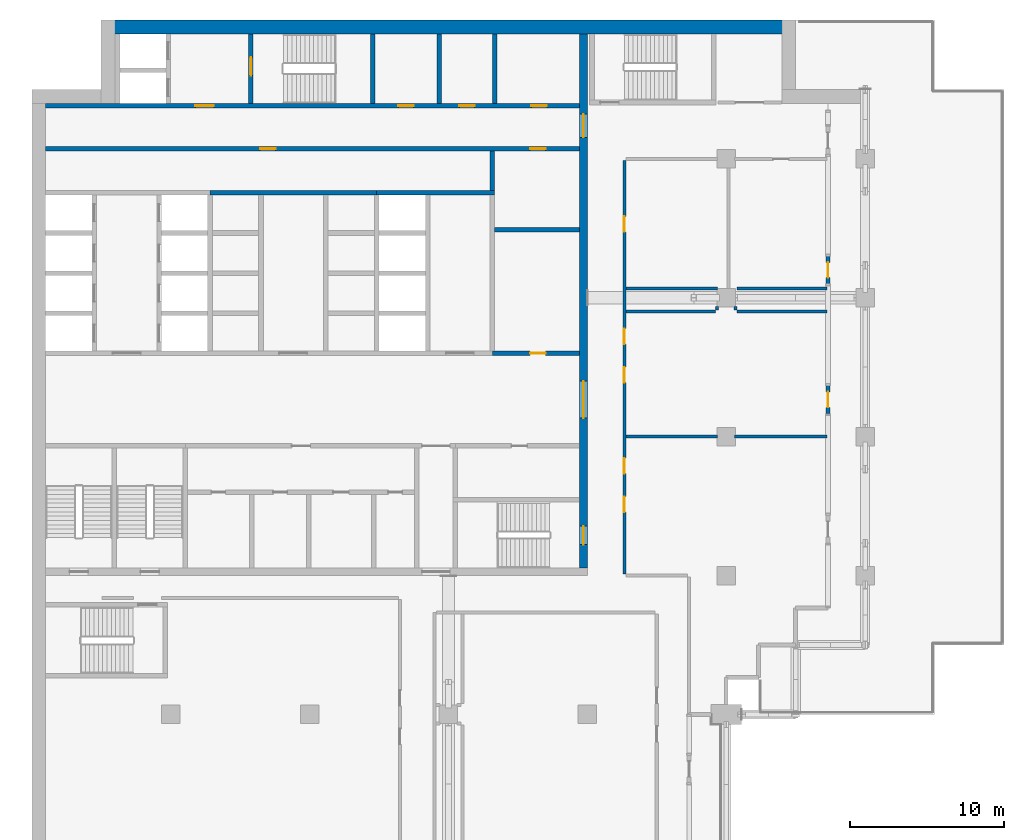
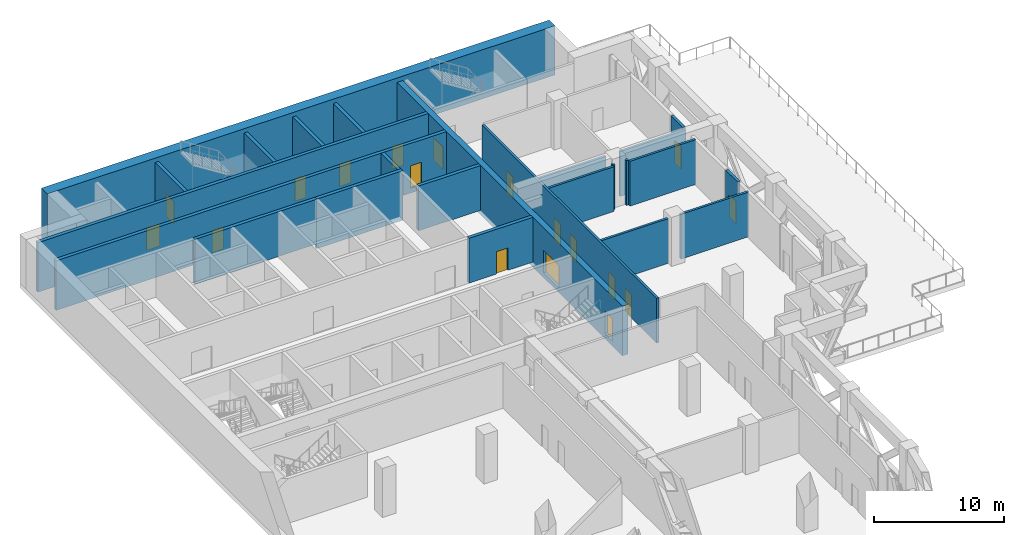
# One storey, part 10 of 20: 24 walls, 18 doors, 18 openings.
"""IFC4 building model written with IfcOpenShell, lengths in metres."""

from ifc_helpers import new_model, si_unit, direction, frame, frame_2d, origin, place, context, subcontext, project, spatial, rectangle, extrude, material, layer, layer_set, type_object, element, fill, save


model = new_model("IFC4")

# Units and contexts
model_context = context("Model", 3, precision=1e-05, world=origin(), true_north=direction((0.0, 1.0)))
body_context = subcontext(model_context, "Body", "Model", "MODEL_VIEW")
ifc_project = project(units=[si_unit("LENGTHUNIT", "METRE"), si_unit("AREAUNIT", "SQUARE_METRE"), si_unit("VOLUMEUNIT", "CUBIC_METRE"), si_unit("PLANEANGLEUNIT", "RADIAN"), si_unit("MASSUNIT", "GRAM", prefix="KILO")], contexts=[model_context])

# Site, building, storey
site_placement = place(None, origin())
site = spatial("IfcSite", under=ifc_project, at=site_placement, CompositionType="ELEMENT")
building_placement = place(site_placement, origin())
building = spatial("IfcBuilding", under=site, at=building_placement, Name="Hunhe Ridgeline Campus", CompositionType="ELEMENT")
storey_placement = place(building_placement, frame((0.0, 0.0, 178.199951171875)))
storey = spatial("IfcBuildingStorey", under=building, at=storey_placement, Name="L45", CompositionType="ELEMENT", Elevation=178.199951171875)

# Walls
ifc_material_1 = material(Name="Masonry concrete blockwork", Category="masonry")
ifc_layer_1 = layer(ifc_material_1, 0.300048828125)
ifc_layer_set_1 = layer_set([ifc_layer_1], Name="Core room partition 300 concrete block")
wall_type_1 = type_object("IfcWallType", Name="Core room partition 300 concrete block", PredefinedType="PARTITIONING", material=ifc_layer_set_1)
wall_1_placement = place(storey_placement, frame((30.0, 85.39990234375, 0.0), z_axis=(0.0, 0.0, 1.0), x_axis=(1.0, 0.0, 0.0)))
element("IfcWall", 1, at=wall_1_placement, inside=storey, type_object=wall_type_1, Name="L45 core partition 30", PredefinedType="PARTITIONING", context=body_context, shape_type="SweptSolid", body=[
    extrude(rectangle(XDim=5.5, YDim=0.300048828125, at=frame_2d((2.75, 0.0))), origin(), (0.0, 0.0, 1.0), 4.199951171875),
])
wall_2_placement = place(storey_placement, frame((26.39990234375, 93.60009765625, 0.0), z_axis=(0.0, 0.0, 1.0), x_axis=(0.0, 1.0, 0.0)))
element("IfcWall", 2, at=wall_2_placement, inside=storey, type_object=wall_type_1, Name="L45 core partition 59", PredefinedType="PARTITIONING", context=body_context, shape_type="SweptSolid", body=[
    extrude(rectangle(XDim=4.5, YDim=0.300048828125, at=frame_2d((2.25, 0.0))), origin(), (0.0, 0.0, 1.0), 4.199951171875),
])
wall_3_placement = place(storey_placement, frame((29.85009765625, 87.949951171875, 0.0), z_axis=(0.0, 0.0, 1.0), x_axis=(0.0, 1.0, 0.0)))
element("IfcWall", 3, at=wall_3_placement, inside=storey, type_object=wall_type_1, Name="L45 core partition 63", PredefinedType="PARTITIONING", context=body_context, shape_type="SweptSolid", body=[
    extrude(rectangle(XDim=2.550048828125, YDim=0.300048828125, at=frame_2d((1.27490234375, 0.0))), origin(), (0.0, 0.0, 1.0), 4.199951171875),
])
wall_4_placement = place(storey_placement, frame((30.0, 93.60009765625, 0.0), z_axis=(0.0, 0.0, 1.0), x_axis=(0.0, 1.0, 0.0)))
element("IfcWall", 4, at=wall_4_placement, inside=storey, type_object=wall_type_1, Name="L45 core partition 64", PredefinedType="PARTITIONING", context=body_context, shape_type="SweptSolid", body=[
    extrude(rectangle(XDim=4.5, YDim=0.300048828125, at=frame_2d((2.25, 0.0))), origin(), (0.0, 0.0, 1.0), 4.199951171875),
])

# Wall, openings, doors
ifc_material_2 = material(Name="Concrete C60", Category="concrete")
ifc_layer_2 = layer(ifc_material_2, 0.5)
ifc_layer_set_2 = layer_set([ifc_layer_2], Name="Core wall 500 reinforced concrete C60")
wall_type_2 = type_object("IfcWallType", Name="Core wall 500 reinforced concrete C60", PredefinedType="SOLIDWALL", material=ifc_layer_set_2)
wall_5_placement = place(storey_placement, frame((35.75, 63.5, -0.449951171875), z_axis=(0.0, 0.0, 1.0), x_axis=(0.0, 1.0, 0.0)))
wall_5 = element("IfcWall", 5, at=wall_5_placement, inside=storey, type_object=wall_type_2, Name="L45 core wall 65", PredefinedType="SOLIDWALL", context=body_context, shape_type="SweptSolid", body=[
    extrude(rectangle(XDim=34.60009765625, YDim=0.5, at=frame_2d((17.300048828125, 0.0))), origin(), (0.0, 0.0, 1.0), 4.64990234375),
])
opening_1_placement = place(wall_5_placement, frame((9.699951171875, 0.0, 0.449951171875)))
opening_1 = element("IfcOpeningElement", 6, at=opening_1_placement, cuts=wall_5, Name="Opening CD4", PredefinedType="OPENING", context=body_context, shape_type="SweptSolid", body=[
    extrude(rectangle(XDim=2.39990234375, YDim=2.10009765625, at=frame_2d((1.199951171875, 1.050048828125))), frame((0.0, 0.25, 0.0), z_axis=(0.0, -1.0, 0.0), x_axis=(1.0, 0.0, 0.0)), (0.0, 0.0, 1.0), 0.5),
])
opening_2_placement = place(wall_5_placement, frame((27.89990234375, 0.0, 0.449951171875)))
opening_2 = element("IfcOpeningElement", 7, at=opening_2_placement, cuts=wall_5, Name="Opening CD5", PredefinedType="OPENING", context=body_context, shape_type="SweptSolid", body=[
    extrude(rectangle(XDim=1.5, YDim=2.10009765625, at=frame_2d((0.75, 1.050048828125))), frame((0.0, 0.25, 0.0), z_axis=(0.0, -1.0, 0.0), x_axis=(1.0, 0.0, 0.0)), (0.0, 0.0, 1.0), 0.5),
])
opening_3_placement = place(wall_5_placement, frame((1.5, 0.0, 0.449951171875)))
opening_3 = element("IfcOpeningElement", 8, at=opening_3_placement, cuts=wall_5, Name="Opening CD15", PredefinedType="OPENING", context=body_context, shape_type="SweptSolid", body=[
    extrude(rectangle(XDim=1.199951171875, YDim=2.10009765625, at=frame_2d((0.60009765625, 1.050048828125))), frame((0.0, 0.25, 0.0), z_axis=(0.0, -1.0, 0.0), x_axis=(1.0, 0.0, 0.0)), (0.0, 0.0, 1.0), 0.5),
])
ifc_material_3 = material(Name="Anodised aluminium and glass", Category="aluminium")
door_type_1 = type_object("IfcDoorType", Name="Glazed double door 2400x2100", OperationType="DOUBLE_DOOR_SINGLE_SWING", PredefinedType="DOOR", material=ifc_material_3)
door_1_placement = place(opening_1_placement, frame((2.39990234375, 0.0, 0.0), z_axis=(0.0, 0.0, 1.0), x_axis=(-1.0, 0.0, 0.0)))
door_1 = element("IfcDoor", 9, at=door_1_placement, inside=storey, type_object=door_type_1, Name="L45 door HALL-FLOOR", OperationType="DOUBLE_DOOR_SINGLE_SWING", OverallHeight=2.10009765625, OverallWidth=2.39990234375, PredefinedType="DOOR", context=body_context, shape_type="SweptSolid", body=[
    extrude(rectangle(XDim=2.39990234375, YDim=2.10009765625, at=frame_2d((1.199951171875, 1.050048828125))), frame((0.0, 0.02490234375, 0.0), z_axis=(0.0, -1.0, 0.0), x_axis=(1.0, 0.0, 0.0)), (0.0, 0.0, 1.0), 0.050048828125),
])
fill(opening_1, door_1)
ifc_material_4 = material(Name="Hollow metal fire door leaf")
door_type_2 = type_object("IfcDoorType", Name="Stair door 1200x2100 FD60", OperationType="SINGLE_SWING_LEFT", PredefinedType="DOOR", material=ifc_material_4)
door_2_placement = place(opening_3_placement, frame((1.199951171875, 0.0, 0.0), z_axis=(0.0, 0.0, 1.0), x_axis=(-1.0, 0.0, 0.0)))
door_2 = element("IfcDoor", 10, at=door_2_placement, inside=storey, type_object=door_type_2, Name="L45 door S2-FLOOR", OperationType="SINGLE_SWING_LEFT", OverallHeight=2.10009765625, OverallWidth=1.199951171875, PredefinedType="DOOR", context=body_context, shape_type="SweptSolid", body=[
    extrude(rectangle(XDim=1.199951171875, YDim=2.10009765625, at=frame_2d((0.60009765625, 1.050048828125))), frame((0.0, 0.02490234375, 0.0), z_axis=(0.0, -1.0, 0.0), x_axis=(1.0, 0.0, 0.0)), (0.0, 0.0, 1.0), 0.050048828125),
])
fill(opening_3, door_2)
ifc_material_5 = material(Name="Solid core timber door leaf", Category="wood")
door_type_3 = type_object("IfcDoorType", Name="Timber door 1500x2100", OperationType="SINGLE_SWING_LEFT", PredefinedType="DOOR", material=ifc_material_5)
door_3_placement = place(opening_2_placement, frame((1.5, 0.0, 0.0), z_axis=(0.0, 0.0, 1.0), x_axis=(-1.0, 0.0, 0.0)))
door_3 = element("IfcDoor", 11, at=door_3_placement, inside=storey, type_object=door_type_3, Name="L45 door C1-FLOOR", OperationType="SINGLE_SWING_LEFT", OverallHeight=2.10009765625, OverallWidth=1.5, PredefinedType="DOOR", context=body_context, shape_type="SweptSolid", body=[
    extrude(rectangle(XDim=1.5, YDim=2.10009765625, at=frame_2d((0.75, 1.050048828125))), frame((0.0, 0.02490234375, 0.0), z_axis=(0.0, -1.0, 0.0), x_axis=(1.0, 0.0, 0.0)), (0.0, 0.0, 1.0), 0.050048828125),
])
fill(opening_2, door_3)

# Walls
ifc_material_6 = material(Name="Gypsum board partition")
ifc_layer_3 = layer(ifc_material_6, 0.199951171875)
ifc_layer_set_3 = layer_set([ifc_layer_3], Name="Corridor partition 200 gypsum board on steel studs")
wall_type_3 = type_object("IfcWallType", Name="Corridor partition 200 gypsum board on steel studs", PredefinedType="PARTITIONING", material=ifc_layer_set_3)
wall_6_placement = place(storey_placement, frame((38.5, 72.0, 0.0), z_axis=(0.0, 0.0, 1.0), x_axis=(1.0, 0.0, 0.0)))
element("IfcWall", 12, at=wall_6_placement, inside=storey, type_object=wall_type_3, Name="F-L45-wall-023", PredefinedType="PARTITIONING", context=body_context, shape_type="SweptSolid", body=[
    extrude(rectangle(XDim=5.949951171875, YDim=0.199951171875, at=frame_2d((2.97509765625, 0.0))), origin(), (0.0, 0.0, 1.0), 4.199951171875),
])
wall_7_placement = place(storey_placement, frame((45.550048828125, 72.0, 0.0), z_axis=(0.0, 0.0, 1.0), x_axis=(1.0, 0.0, 0.0)))
element("IfcWall", 13, at=wall_7_placement, inside=storey, type_object=wall_type_3, Name="F-L45-wall-024", PredefinedType="PARTITIONING", context=body_context, shape_type="SweptSolid", body=[
    extrude(rectangle(XDim=5.994873046875, YDim=0.199951171875, at=frame_2d((2.99755859375, 0.0))), origin(), (0.0, 0.0, 1.0), 4.199951171875),
])
wall_8_placement = place(storey_placement, frame((38.5, 80.10009765625, 0.0), z_axis=(0.0, 0.0, 1.0), x_axis=(1.0, 0.0, 0.0)))
element("IfcWall", 14, at=wall_8_placement, inside=storey, type_object=wall_type_3, Name="F-L45-wall-025", PredefinedType="PARTITIONING", context=body_context, shape_type="SweptSolid", body=[
    extrude(rectangle(XDim=5.800048828125, YDim=0.199951171875, at=frame_2d((2.89990234375, 0.0))), origin(), (0.0, 0.0, 1.0), 4.199951171875),
])
wall_9_placement = place(storey_placement, frame((45.699951171875, 80.10009765625, 0.0), z_axis=(0.0, 0.0, 1.0), x_axis=(1.0, 0.0, 0.0)))
element("IfcWall", 15, at=wall_9_placement, inside=storey, type_object=wall_type_3, Name="F-L45-wall-026", PredefinedType="PARTITIONING", context=body_context, shape_type="SweptSolid", body=[
    extrude(rectangle(XDim=5.844970703125, YDim=0.199951171875, at=frame_2d((2.92236328125, 0.0))), origin(), (0.0, 0.0, 1.0), 4.199951171875),
])
wall_10_placement = place(storey_placement, frame((38.5, 81.60009765625, 0.0), z_axis=(0.0, 0.0, 1.0), x_axis=(1.0, 0.0, 0.0)))
element("IfcWall", 16, at=wall_10_placement, inside=storey, type_object=wall_type_3, Name="F-L45-wall-027", PredefinedType="PARTITIONING", context=body_context, shape_type="SweptSolid", body=[
    extrude(rectangle(XDim=5.949951171875, YDim=0.199951171875, at=frame_2d((2.97509765625, 0.0))), origin(), (0.0, 0.0, 1.0), 4.199951171875),
])
wall_11_placement = place(storey_placement, frame((45.702880859375, 81.60009765625, 0.0), z_axis=(0.0, 0.0, 1.0), x_axis=(1.0, 0.0, 0.0)))
element("IfcWall", 17, at=wall_11_placement, inside=storey, type_object=wall_type_3, Name="F-L45-wall-028", PredefinedType="PARTITIONING", context=body_context, shape_type="SweptSolid", body=[
    extrude(rectangle(XDim=5.842041015625, YDim=0.199951171875, at=frame_2d((2.9208984375, 0.0))), origin(), (0.0, 0.0, 1.0), 4.199951171875),
])

# Wall, openings, doors
wall_12_placement = place(storey_placement, frame((38.39990234375, 89.89990234375, 0.0), z_axis=(0.0, 0.0, 1.0), x_axis=(0.0, -1.0, 0.0)))
wall_12 = element("IfcWall", 18, at=wall_12_placement, inside=storey, type_object=wall_type_3, Name="F-L45-wall-044", PredefinedType="PARTITIONING", context=body_context, shape_type="SweptSolid", body=[
    extrude(rectangle(XDim=26.7998046875, YDim=0.199951171875, at=frame_2d((13.39990234375, 0.0))), origin(), (0.0, 0.0, 1.0), 4.199951171875),
])
opening_4_placement = place(wall_12_placement, frame((21.79150390625, 0.0, 0.0)))
opening_4 = element("IfcOpeningElement", 19, at=opening_4_placement, cuts=wall_12, Name="Opening RD1-009", PredefinedType="OPENING", context=body_context, shape_type="SweptSolid", body=[
    extrude(rectangle(XDim=1.0, YDim=2.10009765625, at=frame_2d((0.5, 1.050048828125))), frame((0.0, 0.10009765625, 0.0), z_axis=(0.0, -1.0, 0.0), x_axis=(1.0, 0.0, 0.0)), (0.0, 0.0, 1.0), 0.199951171875),
])
opening_5_placement = place(wall_12_placement, frame((19.29150390625, 0.0, 0.0)))
opening_5 = element("IfcOpeningElement", 20, at=opening_5_placement, cuts=wall_12, Name="Opening RD1-010", PredefinedType="OPENING", context=body_context, shape_type="SweptSolid", body=[
    extrude(rectangle(XDim=1.0, YDim=2.10009765625, at=frame_2d((0.5, 1.050048828125))), frame((0.0, 0.10009765625, 0.0), z_axis=(0.0, -1.0, 0.0), x_axis=(1.0, 0.0, 0.0)), (0.0, 0.0, 1.0), 0.199951171875),
])
opening_6_placement = place(wall_12_placement, frame((13.40087890625, 0.0, 0.0)))
opening_6 = element("IfcOpeningElement", 21, at=opening_6_placement, cuts=wall_12, Name="Opening RD1-011", PredefinedType="OPENING", context=body_context, shape_type="SweptSolid", body=[
    extrude(rectangle(XDim=1.0, YDim=2.10009765625, at=frame_2d((0.5, 1.050048828125))), frame((0.0, 0.10009765625, 0.0), z_axis=(0.0, -1.0, 0.0), x_axis=(1.0, 0.0, 0.0)), (0.0, 0.0, 1.0), 0.199951171875),
])
opening_7_placement = place(wall_12_placement, frame((10.90087890625, 0.0, 0.0)))
opening_7 = element("IfcOpeningElement", 22, at=opening_7_placement, cuts=wall_12, Name="Opening RD1-012", PredefinedType="OPENING", context=body_context, shape_type="SweptSolid", body=[
    extrude(rectangle(XDim=1.0, YDim=2.10009765625, at=frame_2d((0.5, 1.050048828125))), frame((0.0, 0.10009765625, 0.0), z_axis=(0.0, -1.0, 0.0), x_axis=(1.0, 0.0, 0.0)), (0.0, 0.0, 1.0), 0.199951171875),
])
opening_8_placement = place(wall_12_placement, frame((3.6328125, 0.0, 0.0)))
opening_8 = element("IfcOpeningElement", 23, at=opening_8_placement, cuts=wall_12, Name="Opening RD1-013", PredefinedType="OPENING", context=body_context, shape_type="SweptSolid", body=[
    extrude(rectangle(XDim=1.0, YDim=2.10009765625, at=frame_2d((0.5, 1.050048828125))), frame((0.0, 0.10009765625, 0.0), z_axis=(0.0, -1.0, 0.0), x_axis=(1.0, 0.0, 0.0)), (0.0, 0.0, 1.0), 0.199951171875),
])
ifc_material_7 = material(Name="Timber door leaf", Category="wood")
door_type_4 = type_object("IfcDoorType", Name="Single fire door 1000x2100 timber FD60", OperationType="NOTDEFINED", PredefinedType="DOOR", material=ifc_material_7)
door_4_placement = place(opening_4_placement, frame((1.0, 0.0, 0.0), z_axis=(0.0, 0.0, 1.0), x_axis=(-1.0, 0.0, 0.0)))
door_4 = element("IfcDoor", 24, at=door_4_placement, inside=storey, type_object=door_type_4, Name="F-L45-door-009", OperationType="SINGLE_SWING_LEFT", OverallHeight=2.10009765625, OverallWidth=1.0, PredefinedType="DOOR", context=body_context, shape_type="SweptSolid", body=[
    extrude(rectangle(XDim=1.0, YDim=2.10009765625, at=frame_2d((0.5, 1.050048828125))), frame((0.0, 0.02490234375, 0.0), z_axis=(0.0, -1.0, 0.0), x_axis=(1.0, 0.0, 0.0)), (0.0, 0.0, 1.0), 0.050048828125),
])
fill(opening_4, door_4)
door_5_placement = place(opening_5_placement, frame((1.0, 0.0, 0.0), z_axis=(0.0, 0.0, 1.0), x_axis=(-1.0, 0.0, 0.0)))
door_5 = element("IfcDoor", 25, at=door_5_placement, inside=storey, type_object=door_type_4, Name="F-L45-door-010", OperationType="SINGLE_SWING_RIGHT", OverallHeight=2.10009765625, OverallWidth=1.0, PredefinedType="DOOR", context=body_context, shape_type="SweptSolid", body=[
    extrude(rectangle(XDim=1.0, YDim=2.10009765625, at=frame_2d((0.5, 1.050048828125))), frame((0.0, 0.02490234375, 0.0), z_axis=(0.0, -1.0, 0.0), x_axis=(1.0, 0.0, 0.0)), (0.0, 0.0, 1.0), 0.050048828125),
])
fill(opening_5, door_5)
door_6_placement = place(opening_6_placement, frame((1.0, 0.0, 0.0), z_axis=(0.0, 0.0, 1.0), x_axis=(-1.0, 0.0, 0.0)))
door_6 = element("IfcDoor", 26, at=door_6_placement, inside=storey, type_object=door_type_4, Name="F-L45-door-011", OperationType="SINGLE_SWING_RIGHT", OverallHeight=2.10009765625, OverallWidth=1.0, PredefinedType="DOOR", context=body_context, shape_type="SweptSolid", body=[
    extrude(rectangle(XDim=1.0, YDim=2.10009765625, at=frame_2d((0.5, 1.050048828125))), frame((0.0, 0.02490234375, 0.0), z_axis=(0.0, -1.0, 0.0), x_axis=(1.0, 0.0, 0.0)), (0.0, 0.0, 1.0), 0.050048828125),
])
fill(opening_6, door_6)
door_7_placement = place(opening_7_placement, frame((1.0, 0.0, 0.0), z_axis=(0.0, 0.0, 1.0), x_axis=(-1.0, 0.0, 0.0)))
door_7 = element("IfcDoor", 27, at=door_7_placement, inside=storey, type_object=door_type_4, Name="F-L45-door-012", OperationType="SINGLE_SWING_RIGHT", OverallHeight=2.10009765625, OverallWidth=1.0, PredefinedType="DOOR", context=body_context, shape_type="SweptSolid", body=[
    extrude(rectangle(XDim=1.0, YDim=2.10009765625, at=frame_2d((0.5, 1.050048828125))), frame((0.0, 0.02490234375, 0.0), z_axis=(0.0, -1.0, 0.0), x_axis=(1.0, 0.0, 0.0)), (0.0, 0.0, 1.0), 0.050048828125),
])
fill(opening_7, door_7)
door_8_placement = place(opening_8_placement, frame((1.0, 0.0, 0.0), z_axis=(0.0, 0.0, 1.0), x_axis=(-1.0, 0.0, 0.0)))
door_8 = element("IfcDoor", 28, at=door_8_placement, inside=storey, type_object=door_type_4, Name="F-L45-door-013", OperationType="SINGLE_SWING_RIGHT", OverallHeight=2.10009765625, OverallWidth=1.0, PredefinedType="DOOR", context=body_context, shape_type="SweptSolid", body=[
    extrude(rectangle(XDim=1.0, YDim=2.10009765625, at=frame_2d((0.5, 1.050048828125))), frame((0.0, 0.02490234375, 0.0), z_axis=(0.0, -1.0, 0.0), x_axis=(1.0, 0.0, 0.0)), (0.0, 0.0, 1.0), 0.050048828125),
])
fill(opening_8, door_8)

# Walls
for number, where, z_axis, x_axis, name in (
    (29, (44.39990234375, 80.449951171875, 0.0), (0.0, 0.0, 1.0), (0.0, -1.0, 0.0), "F-L45-wall-047"),
    (30, (45.60009765625, 80.449951171875, 0.0), (0.0, 0.0, 1.0), (0.0, -1.0, 0.0), "F-L45-wall-049"),
):
    element("IfcWall", number, at=place(storey_placement, frame(where, z_axis=z_axis, x_axis=x_axis)), inside=storey, type_object=wall_type_3, Name=name, PredefinedType="PARTITIONING", context=body_context, shape_type="SweptSolid", body=[
        extrude(rectangle(XDim=0.25, YDim=0.199951171875, at=frame_2d((0.125, 0.0))), origin(), (0.0, 0.0, 1.0), 4.199951171875),
    ])

# Wall, opening, door
ifc_layer_4 = layer(ifc_material_2, 0.300048828125)
ifc_layer_set_4 = layer_set([ifc_layer_4], Name="Lobby wall 300 reinforced concrete C60")
wall_type_4 = type_object("IfcWallType", Name="Lobby wall 300 reinforced concrete C60", PredefinedType="SOLIDWALL", material=ifc_layer_set_4)
wall_13_placement = place(storey_placement, frame((29.85009765625, 77.39990234375, 0.0), z_axis=(0.0, 0.0, 1.0), x_axis=(1.0, 0.0, 0.0)))
wall_13 = element("IfcWall", 31, at=wall_13_placement, inside=storey, type_object=wall_type_4, Name="L45 core wall 14", PredefinedType="SOLIDWALL", context=body_context, shape_type="SweptSolid", body=[
    extrude(rectangle(XDim=5.64990234375, YDim=0.300048828125, at=frame_2d((2.824951171875, 0.0))), origin(), (0.0, 0.0, 1.0), 4.199951171875),
])
opening_9_placement = place(wall_13_placement, frame((2.449951171875, 0.0, 0.0)))
opening_9 = element("IfcOpeningElement", 32, at=opening_9_placement, cuts=wall_13, Name="Opening CD32", PredefinedType="OPENING", context=body_context, shape_type="SweptSolid", body=[
    extrude(rectangle(XDim=1.0, YDim=2.10009765625, at=frame_2d((0.5, 1.050048828125))), frame((0.0, 0.14990234375, 0.0), z_axis=(0.0, -1.0, 0.0), x_axis=(1.0, 0.0, 0.0)), (0.0, 0.0, 1.0), 0.300048828125),
])
door_type_5 = type_object("IfcDoorType", Name="Timber door 1000x2100", OperationType="SINGLE_SWING_LEFT", PredefinedType="DOOR", material=ifc_material_5)
door_9_placement = place(opening_9_placement, origin())
door_9 = element("IfcDoor", 33, at=door_9_placement, inside=storey, type_object=door_type_5, Name="L45 door ES0", OperationType="SINGLE_SWING_LEFT", OverallHeight=2.10009765625, OverallWidth=1.0, PredefinedType="DOOR", context=body_context, shape_type="SweptSolid", body=[
    extrude(rectangle(XDim=1.0, YDim=2.10009765625, at=frame_2d((0.5, 1.050048828125))), frame((0.0, 0.02490234375, 0.0), z_axis=(0.0, -1.0, 0.0), x_axis=(1.0, 0.0, 0.0)), (0.0, 0.0, 1.0), 0.050048828125),
])
fill(opening_9, door_9)

# Wall, openings, doors
wall_14_placement = place(storey_placement, frame((0.89990234375, 90.64990234375, -0.449951171875), z_axis=(0.0, 0.0, 1.0), x_axis=(1.0, 0.0, 0.0)))
wall_14 = element("IfcWall", 34, at=wall_14_placement, inside=storey, type_object=wall_type_4, Name="L45 core wall 34", PredefinedType="SOLIDWALL", context=body_context, shape_type="SweptSolid", body=[
    extrude(rectangle(XDim=34.60009765625, YDim=0.300048828125, at=frame_2d((17.300048828125, 0.0))), origin(), (0.0, 0.0, 1.0), 4.64990234375),
])
opening_10_placement = place(wall_14_placement, frame((13.89990234375, 0.0, 0.449951171875)))
opening_10 = element("IfcOpeningElement", 35, at=opening_10_placement, cuts=wall_14, Name="Opening CD26", PredefinedType="OPENING", context=body_context, shape_type="SweptSolid", body=[
    extrude(rectangle(XDim=1.0, YDim=2.10009765625, at=frame_2d((0.5, 1.050048828125))), frame((0.0, 0.14990234375, 0.0), z_axis=(0.0, -1.0, 0.0), x_axis=(1.0, 0.0, 0.0)), (0.0, 0.0, 1.0), 0.300048828125),
])
opening_11_placement = place(wall_14_placement, frame((31.39990234375, 0.0, 0.449951171875)))
opening_11 = element("IfcOpeningElement", 36, at=opening_11_placement, cuts=wall_14, Name="Opening CD33", PredefinedType="OPENING", context=body_context, shape_type="SweptSolid", body=[
    extrude(rectangle(XDim=1.0, YDim=2.10009765625, at=frame_2d((0.5, 1.050048828125))), frame((0.0, 0.14990234375, 0.0), z_axis=(0.0, -1.0, 0.0), x_axis=(1.0, 0.0, 0.0)), (0.0, 0.0, 1.0), 0.300048828125),
])
door_10_placement = place(opening_10_placement, frame((1.0, 0.0, 0.0), z_axis=(0.0, 0.0, 1.0), x_axis=(-1.0, 0.0, 0.0)))
door_10 = element("IfcDoor", 37, at=door_10_placement, inside=storey, type_object=door_type_5, Name="L45 door NR-0", OperationType="SINGLE_SWING_RIGHT", OverallHeight=2.10009765625, OverallWidth=1.0, PredefinedType="DOOR", context=body_context, shape_type="SweptSolid", body=[
    extrude(rectangle(XDim=1.0, YDim=2.10009765625, at=frame_2d((0.5, 1.050048828125))), frame((0.0, 0.02490234375, 0.0), z_axis=(0.0, -1.0, 0.0), x_axis=(1.0, 0.0, 0.0)), (0.0, 0.0, 1.0), 0.050048828125),
])
fill(opening_10, door_10)
door_11_placement = place(opening_11_placement, frame((1.0, 0.0, 0.0), z_axis=(0.0, 0.0, 1.0), x_axis=(-1.0, 0.0, 0.0)))
door_11 = element("IfcDoor", 38, at=door_11_placement, inside=storey, type_object=door_type_5, Name="L45 door ES1", OperationType="SINGLE_SWING_LEFT", OverallHeight=2.10009765625, OverallWidth=1.0, PredefinedType="DOOR", context=body_context, shape_type="SweptSolid", body=[
    extrude(rectangle(XDim=1.0, YDim=2.10009765625, at=frame_2d((0.5, 1.050048828125))), frame((0.0, 0.02490234375, 0.0), z_axis=(0.0, -1.0, 0.0), x_axis=(1.0, 0.0, 0.0)), (0.0, 0.0, 1.0), 0.050048828125),
])
fill(opening_11, door_11)

# Wall, opening, door
ifc_material_8 = material(Name="Concrete C30", Category="concrete")
ifc_layer_5 = layer(ifc_material_8, 0.25)
ifc_layer_set_5 = layer_set([ifc_layer_5], Name="Loggia door pier wall 250 Concrete C30")
wall_type_5 = type_object("IfcWallType", Name="Loggia door pier wall 250 Concrete C30", PredefinedType="SOLIDWALL", material=ifc_layer_set_5)
wall_15_placement = place(storey_placement, frame((51.59912109375, 73.500732421875, 0.0), z_axis=(0.0, 0.0, 1.0), x_axis=(0.0, 1.0, 0.0)))
wall_15 = element("IfcWall", 39, at=wall_15_placement, inside=storey, type_object=wall_type_5, Name="Loggia door pier 12", PredefinedType="SOLIDWALL", context=body_context, shape_type="SweptSolid", body=[
    extrude(rectangle(XDim=1.7998046875, YDim=0.25, at=frame_2d((0.89990234375, 0.0))), origin(), (0.0, 0.0, 1.0), 4.199951171875),
])
opening_12_placement = place(wall_15_placement, frame((0.39990234375, 0.0, 0.0)))
opening_12 = element("IfcOpeningElement", 40, at=opening_12_placement, cuts=wall_15, Name="Opening BR412", PredefinedType="OPENING", context=body_context, shape_type="SweptSolid", body=[
    extrude(rectangle(XDim=1.0, YDim=2.10009765625, at=frame_2d((0.5, 1.050048828125))), frame((0.0, 0.125, 0.0), z_axis=(0.0, -1.0, 0.0), x_axis=(1.0, 0.0, 0.0)), (0.0, 0.0, 1.0), 0.25),
])
ifc_material_9 = material(Name="Aluminium 6063", Category="aluminium")
door_type_6 = type_object("IfcDoorType", Name="Loggia glazed door 1000x2100", OperationType="NOTDEFINED", PredefinedType="DOOR", material=ifc_material_9)
door_12_placement = place(opening_12_placement, frame((1.0, 0.0, 0.0), z_axis=(0.0, 0.0, 1.0), x_axis=(-1.0, 0.0, 0.0)))
door_12 = element("IfcDoor", 41, at=door_12_placement, inside=storey, type_object=door_type_6, Name="Loggia door BR412", OperationType="SINGLE_SWING_LEFT", OverallHeight=2.10009765625, OverallWidth=1.0, PredefinedType="DOOR", context=body_context, shape_type="SweptSolid", body=[
    extrude(rectangle(XDim=1.0, YDim=2.10009765625, at=frame_2d((0.5, 1.050048828125))), frame((0.0, 0.02490234375, 0.0), z_axis=(0.0, -1.0, 0.0), x_axis=(1.0, 0.0, 0.0)), (0.0, 0.0, 1.0), 0.050048828125),
])
fill(opening_12, door_12)

wall_16_placement = place(storey_placement, frame((51.59912109375, 81.900390625, 0.0), z_axis=(0.0, 0.0, 1.0), x_axis=(0.0, 1.0, 0.0)))
wall_16 = element("IfcWall", 42, at=wall_16_placement, inside=storey, type_object=wall_type_5, Name="Loggia door pier 13", PredefinedType="SOLIDWALL", context=body_context, shape_type="SweptSolid", body=[
    extrude(rectangle(XDim=1.800048828125, YDim=0.25, at=frame_2d((0.89990234375, 0.0))), origin(), (0.0, 0.0, 1.0), 4.199951171875),
])
opening_13_placement = place(wall_16_placement, frame((0.39990234375, 0.0, 0.0)))
opening_13 = element("IfcOpeningElement", 43, at=opening_13_placement, cuts=wall_16, Name="Opening BR413", PredefinedType="OPENING", context=body_context, shape_type="SweptSolid", body=[
    extrude(rectangle(XDim=1.0, YDim=2.10009765625, at=frame_2d((0.5, 1.050048828125))), frame((0.0, 0.125, 0.0), z_axis=(0.0, -1.0, 0.0), x_axis=(1.0, 0.0, 0.0)), (0.0, 0.0, 1.0), 0.25),
])
door_13_placement = place(opening_13_placement, frame((1.0, 0.0, 0.0), z_axis=(0.0, 0.0, 1.0), x_axis=(-1.0, 0.0, 0.0)))
door_13 = element("IfcDoor", 44, at=door_13_placement, inside=storey, type_object=door_type_6, Name="Loggia door BR413", OperationType="SINGLE_SWING_RIGHT", OverallHeight=2.10009765625, OverallWidth=1.0, PredefinedType="DOOR", context=body_context, shape_type="SweptSolid", body=[
    extrude(rectangle(XDim=1.0, YDim=2.10009765625, at=frame_2d((0.5, 1.050048828125))), frame((0.0, 0.02490234375, 0.0), z_axis=(0.0, -1.0, 0.0), x_axis=(1.0, 0.0, 0.0)), (0.0, 0.0, 1.0), 0.050048828125),
])
fill(opening_13, door_13)

# Walls
ifc_layer_6 = layer(ifc_material_2, 0.300048828125)
ifc_layer_set_6 = layer_set([ifc_layer_6], Name="Shaft wall 300 reinforced concrete C60")
wall_type_6 = type_object("IfcWallType", Name="Shaft wall 300 reinforced concrete C60", PredefinedType="SOLIDWALL", material=ifc_layer_set_6)
wall_17_placement = place(storey_placement, frame((11.550048828125, 87.800048828125, 0.0), z_axis=(0.0, 0.0, 1.0), x_axis=(1.0, 0.0, 0.0)))
element("IfcWall", 45, at=wall_17_placement, inside=storey, type_object=wall_type_6, Name="L45 core wall 32", PredefinedType="SOLIDWALL", context=body_context, shape_type="SweptSolid", body=[
    extrude(rectangle(XDim=10.800048828125, YDim=0.300048828125, at=frame_2d((5.39990234375, 0.0))), origin(), (0.0, 0.0, 1.0), 4.199951171875),
])
wall_18_placement = place(storey_placement, frame((22.35009765625, 87.800048828125, -0.449951171875), z_axis=(0.0, 0.0, 1.0), x_axis=(1.0, 0.0, 0.0)))
element("IfcWall", 46, at=wall_18_placement, inside=storey, type_object=wall_type_6, Name="L45 core wall 33", PredefinedType="SOLIDWALL", context=body_context, shape_type="SweptSolid", body=[
    extrude(rectangle(XDim=7.64990234375, YDim=0.300048828125, at=frame_2d((3.824951171875, 0.0))), origin(), (0.0, 0.0, 1.0), 4.64990234375),
])

# Wall, openings, doors
wall_19_placement = place(storey_placement, frame((0.89990234375, 93.449951171875, -0.449951171875), z_axis=(0.0, 0.0, 1.0), x_axis=(1.0, 0.0, 0.0)))
wall_19 = element("IfcWall", 47, at=wall_19_placement, inside=storey, type_object=wall_type_6, Name="L45 core wall 35", PredefinedType="SOLIDWALL", context=body_context, shape_type="SweptSolid", body=[
    extrude(rectangle(XDim=34.60009765625, YDim=0.300048828125, at=frame_2d((17.300048828125, 0.0))), origin(), (0.0, 0.0, 1.0), 4.64990234375),
])
opening_14_placement = place(wall_19_placement, frame((9.699951171875, 0.0, 0.449951171875)))
opening_14 = element("IfcOpeningElement", 48, at=opening_14_placement, cuts=wall_19, Name="Opening CD3", PredefinedType="OPENING", context=body_context, shape_type="SweptSolid", body=[
    extrude(rectangle(XDim=1.199951171875, YDim=2.10009765625, at=frame_2d((0.60009765625, 1.050048828125))), frame((0.0, 0.14990234375, 0.0), z_axis=(0.0, -1.0, 0.0), x_axis=(1.0, 0.0, 0.0)), (0.0, 0.0, 1.0), 0.300048828125),
])
opening_15_placement = place(wall_19_placement, frame((22.85009765625, 0.0, 0.449951171875)))
opening_15 = element("IfcOpeningElement", 49, at=opening_15_placement, cuts=wall_19, Name="Opening CD34", PredefinedType="OPENING", context=body_context, shape_type="SweptSolid", body=[
    extrude(rectangle(XDim=1.0, YDim=2.10009765625, at=frame_2d((0.5, 1.050048828125))), frame((0.0, 0.14990234375, 0.0), z_axis=(0.0, -1.0, 0.0), x_axis=(1.0, 0.0, 0.0)), (0.0, 0.0, 1.0), 0.300048828125),
])
opening_16_placement = place(wall_19_placement, frame((26.800048828125, 0.0, 0.449951171875)))
opening_16 = element("IfcOpeningElement", 50, at=opening_16_placement, cuts=wall_19, Name="Opening CD35", PredefinedType="OPENING", context=body_context, shape_type="SweptSolid", body=[
    extrude(rectangle(XDim=1.0, YDim=2.10009765625, at=frame_2d((0.5, 1.050048828125))), frame((0.0, 0.14990234375, 0.0), z_axis=(0.0, -1.0, 0.0), x_axis=(1.0, 0.0, 0.0)), (0.0, 0.0, 1.0), 0.300048828125),
])
opening_17_placement = place(wall_19_placement, frame((31.47509765625, 0.0, 0.449951171875)))
opening_17 = element("IfcOpeningElement", 51, at=opening_17_placement, cuts=wall_19, Name="Opening CD36", PredefinedType="OPENING", context=body_context, shape_type="SweptSolid", body=[
    extrude(rectangle(XDim=1.0, YDim=2.10009765625, at=frame_2d((0.5, 1.050048828125))), frame((0.0, 0.14990234375, 0.0), z_axis=(0.0, -1.0, 0.0), x_axis=(1.0, 0.0, 0.0)), (0.0, 0.0, 1.0), 0.300048828125),
])
door_type_7 = type_object("IfcDoorType", Name="Lobby door 1200x2100 FD60", OperationType="SINGLE_SWING_LEFT", PredefinedType="DOOR", material=ifc_material_4)
door_14_placement = place(opening_14_placement, frame((1.199951171875, 0.0, 0.0), z_axis=(0.0, 0.0, 1.0), x_axis=(-1.0, 0.0, 0.0)))
door_14 = element("IfcDoor", 52, at=door_14_placement, inside=storey, type_object=door_type_7, Name="L45 door FF-C1", OperationType="SINGLE_SWING_RIGHT", OverallHeight=2.10009765625, OverallWidth=1.199951171875, PredefinedType="DOOR", context=body_context, shape_type="SweptSolid", body=[
    extrude(rectangle(XDim=1.199951171875, YDim=2.10009765625, at=frame_2d((0.60009765625, 1.050048828125))), frame((0.0, 0.02490234375, 0.0), z_axis=(0.0, -1.0, 0.0), x_axis=(1.0, 0.0, 0.0)), (0.0, 0.0, 1.0), 0.050048828125),
])
fill(opening_14, door_14)
door_15_placement = place(opening_15_placement, origin())
door_15 = element("IfcDoor", 53, at=door_15_placement, inside=storey, type_object=door_type_5, Name="L45 door NB0", OperationType="SINGLE_SWING_LEFT", OverallHeight=2.10009765625, OverallWidth=1.0, PredefinedType="DOOR", context=body_context, shape_type="SweptSolid", body=[
    extrude(rectangle(XDim=1.0, YDim=2.10009765625, at=frame_2d((0.5, 1.050048828125))), frame((0.0, 0.02490234375, 0.0), z_axis=(0.0, -1.0, 0.0), x_axis=(1.0, 0.0, 0.0)), (0.0, 0.0, 1.0), 0.050048828125),
])
fill(opening_15, door_15)
door_16_placement = place(opening_16_placement, origin())
door_16 = element("IfcDoor", 54, at=door_16_placement, inside=storey, type_object=door_type_5, Name="L45 door NB1", OperationType="SINGLE_SWING_RIGHT", OverallHeight=2.10009765625, OverallWidth=1.0, PredefinedType="DOOR", context=body_context, shape_type="SweptSolid", body=[
    extrude(rectangle(XDim=1.0, YDim=2.10009765625, at=frame_2d((0.5, 1.050048828125))), frame((0.0, 0.02490234375, 0.0), z_axis=(0.0, -1.0, 0.0), x_axis=(1.0, 0.0, 0.0)), (0.0, 0.0, 1.0), 0.050048828125),
])
fill(opening_16, door_16)
door_17_placement = place(opening_17_placement, origin())
door_17 = element("IfcDoor", 55, at=door_17_placement, inside=storey, type_object=door_type_5, Name="L45 door NB2", OperationType="SINGLE_SWING_LEFT", OverallHeight=2.10009765625, OverallWidth=1.0, PredefinedType="DOOR", context=body_context, shape_type="SweptSolid", body=[
    extrude(rectangle(XDim=1.0, YDim=2.10009765625, at=frame_2d((0.5, 1.050048828125))), frame((0.0, 0.02490234375, 0.0), z_axis=(0.0, -1.0, 0.0), x_axis=(1.0, 0.0, 0.0)), (0.0, 0.0, 1.0), 0.050048828125),
])
fill(opening_17, door_17)

# Wall
ifc_layer_7 = layer(ifc_material_2, 0.89990234375)
ifc_layer_set_7 = layer_set([ifc_layer_7], Name="Spine wall 900 Concrete C60")
wall_type_7 = type_object("IfcWallType", Name="Spine wall 900 Concrete C60", PredefinedType="SHEAR", material=ifc_layer_set_7)
wall_20_placement = place(storey_placement, frame((49.5, 98.550048828125, 0.0), z_axis=(0.0, 0.0, 1.0), x_axis=(-1.0, 0.0, 0.0)))
element("IfcWall", 56, at=wall_20_placement, inside=storey, type_object=wall_type_7, Name="Spine wall SW3-4 L45", PredefinedType="SHEAR", context=body_context, shape_type="SweptSolid", body=[
    extrude(rectangle(XDim=45.0, YDim=0.89990234375, at=frame_2d((22.5, 0.0))), origin(), (0.0, 0.0, 1.0), 4.60009765625),
])

# Wall, opening, door
ifc_layer_8 = layer(ifc_material_2, 0.300048828125)
ifc_layer_set_8 = layer_set([ifc_layer_8], Name="Stair wall 300 reinforced concrete C60")
wall_type_8 = type_object("IfcWallType", Name="Stair wall 300 reinforced concrete C60", PredefinedType="SOLIDWALL", material=ifc_layer_set_8)
wall_21_placement = place(storey_placement, frame((14.199951171875, 93.60009765625, -0.449951171875), z_axis=(0.0, 0.0, 1.0), x_axis=(0.0, 1.0, 0.0)))
wall_21 = element("IfcWall", 57, at=wall_21_placement, inside=storey, type_object=wall_type_8, Name="L45 core wall 47", PredefinedType="SOLIDWALL", context=body_context, shape_type="SweptSolid", body=[
    extrude(rectangle(XDim=4.5, YDim=0.300048828125, at=frame_2d((2.25, 0.0))), origin(), (0.0, 0.0, 1.0), 4.64990234375),
])
opening_18_placement = place(wall_21_placement, frame((1.800048828125, 0.0, 0.449951171875)))
opening_18 = element("IfcOpeningElement", 58, at=opening_18_placement, cuts=wall_21, Name="Opening CD16", PredefinedType="OPENING", context=body_context, shape_type="SweptSolid", body=[
    extrude(rectangle(XDim=1.199951171875, YDim=2.10009765625, at=frame_2d((0.60009765625, 1.050048828125))), frame((0.0, 0.14990234375, 0.0), z_axis=(0.0, -1.0, 0.0), x_axis=(1.0, 0.0, 0.0)), (0.0, 0.0, 1.0), 0.300048828125),
])
door_18_placement = place(opening_18_placement, origin())
door_18 = element("IfcDoor", 59, at=door_18_placement, inside=storey, type_object=door_type_2, Name="L45 door S1-FF", OperationType="SINGLE_SWING_RIGHT", OverallHeight=2.10009765625, OverallWidth=1.199951171875, PredefinedType="DOOR", context=body_context, shape_type="SweptSolid", body=[
    extrude(rectangle(XDim=1.199951171875, YDim=2.10009765625, at=frame_2d((0.60009765625, 1.050048828125))), frame((0.0, 0.02490234375, 0.0), z_axis=(0.0, -1.0, 0.0), x_axis=(1.0, 0.0, 0.0)), (0.0, 0.0, 1.0), 0.050048828125),
])
fill(opening_18, door_18)

# Wall
wall_22_placement = place(storey_placement, frame((22.10009765625, 93.60009765625, -0.449951171875), z_axis=(0.0, 0.0, 1.0), x_axis=(0.0, 1.0, 0.0)))
element("IfcWall", 60, at=wall_22_placement, inside=storey, type_object=wall_type_8, Name="L45 core wall 53", PredefinedType="SOLIDWALL", context=body_context, shape_type="SweptSolid", body=[
    extrude(rectangle(XDim=4.5, YDim=0.300048828125, at=frame_2d((2.25, 0.0))), origin(), (0.0, 0.0, 1.0), 4.64990234375),
])

save(model, "model.ifc")
